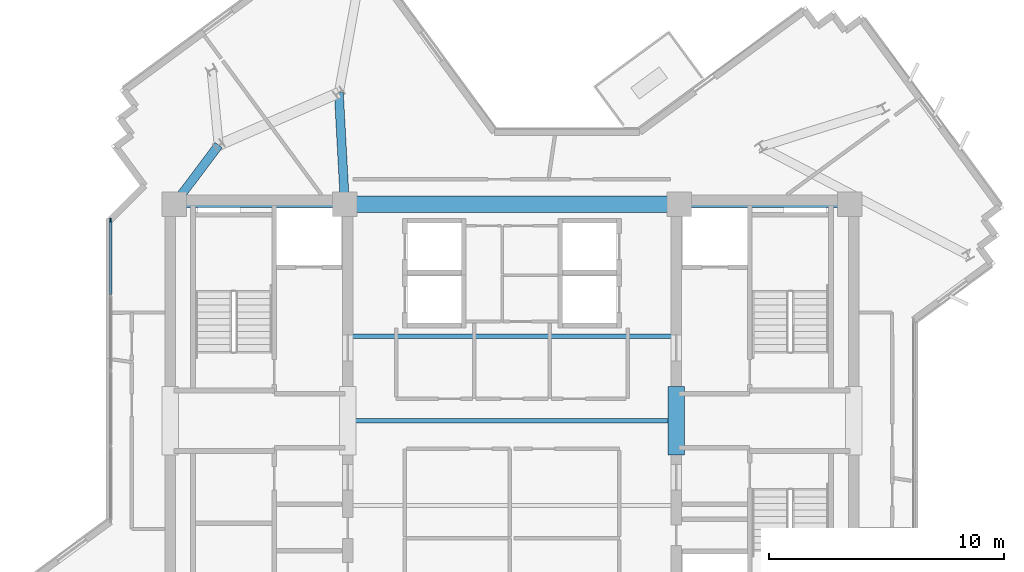
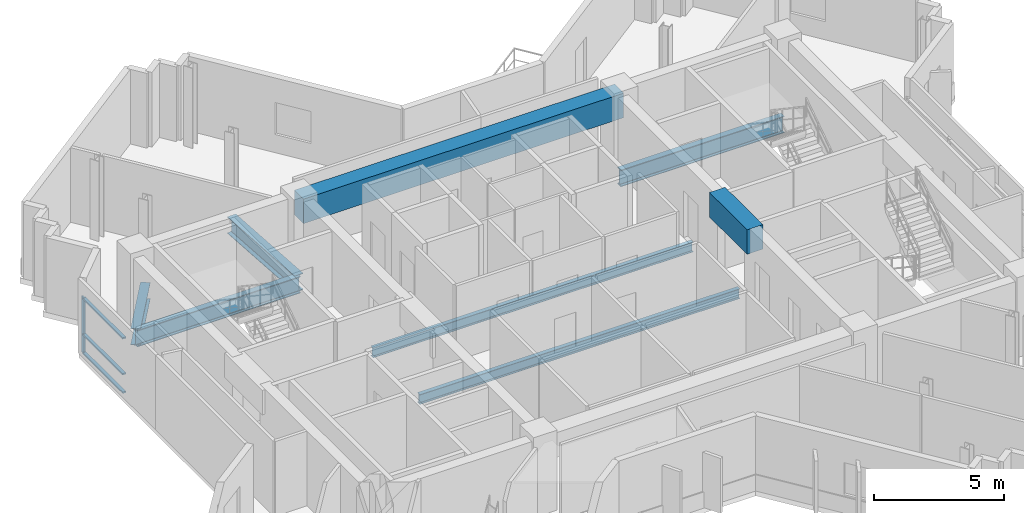
# One storey, part 3 of 13: 8 beams, 4 members, 1 element without a shape of its own.
"""IFC4 building model written with IfcOpenShell, lengths in metres."""

from ifc_helpers import new_model, si_unit, direction, frame, origin, origin_2d, place, context, subcontext, project, spatial, rectangle, i_section, extrude, source, transform, mapped, material, layer, layer_set, material_profile, profile_set, type_object, element, aggregate, save


model = new_model("IFC4")

# Units and contexts
model_context = context("Model", 3, precision=1e-05, world=origin(), true_north=direction((0.0, 1.0)))
body_context = subcontext(model_context, "Body", "Model", "MODEL_VIEW")
ifc_project = project(units=[si_unit("LENGTHUNIT", "METRE"), si_unit("AREAUNIT", "SQUARE_METRE"), si_unit("VOLUMEUNIT", "CUBIC_METRE"), si_unit("PLANEANGLEUNIT", "RADIAN"), si_unit("MASSUNIT", "GRAM", prefix="KILO")], contexts=[model_context])

# Site, building, storey
site_placement = place(None, origin())
site = spatial("IfcSite", under=ifc_project, at=site_placement, CompositionType="ELEMENT")
building_placement = place(site_placement, origin())
building = spatial("IfcBuilding", under=site, at=building_placement, Name="Zahravan Cultural Tower", CompositionType="ELEMENT")
storey_placement = place(building_placement, frame((0.0, 0.0, 276.60009765625)))
storey = spatial("IfcBuildingStorey", under=building, at=storey_placement, Name="L66", CompositionType="ELEMENT", Elevation=276.60009765625)

# Beams
ifc_material_1 = material(Name="Concrete C50/60", Category="concrete")
ifc_material_profile_1 = material_profile(ifc_material_1, rectangle(XDim=0.699951171875, YDim=1.14990234375, at=origin_2d()), Name="RC700X1150")
ifc_profile_set_1 = profile_set([ifc_material_profile_1], Name="Concrete C50/60")
beam_type_1 = type_object("IfcBeamType", Name="BM-LN-RC700X1150", PredefinedType="LINTEL", material=ifc_profile_set_1)
shared_shape_1 = source(origin(), body_context, "Body", "SweptSolid", [
    extrude(rectangle(XDim=0.699951171875, YDim=1.14990234375, at=origin_2d()), origin(), (0.0, 0.0, 1.0), 14.2001953125),
])
beam_1_placement = place(storey_placement, frame((28.89990234375, 36.199951171875, 2.9248046875), z_axis=(1.0, 0.0, 0.0), x_axis=(0.0, 1.0, 0.0)))
element("IfcBeam", 1, at=beam_1_placement, inside=storey, type_object=beam_type_1, Name="L66 Beam LN-L66-N", PredefinedType="LINTEL", context=body_context, shape_type="MappedRepresentation", body=[
    mapped(shared_shape_1, transform((0.0, 0.0, 0.0), x_axis=(1.0, 0.0, 0.0), y_axis=(0.0, 1.0, 0.0), z_axis=(0.0, 0.0, 1.0), scale=1.0)),
])
shared_shape_2 = source(origin(), body_context, "Body", "SweptSolid", [
    extrude(rectangle(XDim=0.699951171875, YDim=1.14990234375, at=origin_2d()), origin(), (0.0, 0.0, 1.0), 2.89990234375),
])
beam_2_placement = place(storey_placement, frame((42.97509765625, 25.550048828125, 2.9248046875), z_axis=(0.0, 1.0, 0.0), x_axis=(-1.0, 0.0, 0.0)))
element("IfcBeam", 2, at=beam_2_placement, inside=storey, type_object=beam_type_1, Name="L66 Beam LN-L66-PEW", PredefinedType="LINTEL", context=body_context, shape_type="MappedRepresentation", body=[
    mapped(shared_shape_2, transform((0.0, 0.0, 0.0), x_axis=(1.0, 0.0, 0.0), y_axis=(0.0, 1.0, 0.0), z_axis=(0.0, 0.0, 1.0), scale=1.0)),
])
ifc_material_2 = material(Name="Steel ASTM A992 Grade 50", Category="steel")
ifc_material_profile_2 = material_profile(ifc_material_2, i_section(OverallWidth=0.26611328125, OverallDepth=0.780029296875, WebThickness=0.0166015625, FlangeThickness=0.030029296875, FilletRadius=0.01904296875, at=origin_2d()), Name="W30X148")
ifc_profile_set_2 = profile_set([ifc_material_profile_2], Name="Steel ASTM A992 Grade 50")
beam_type_2 = type_object("IfcBeamType", Name="BM-G-W30X148", PredefinedType="BEAM", material=ifc_profile_set_2)
shared_shape_3 = source(origin(), body_context, "Body", "SweptSolid", [
    extrude(i_section(OverallWidth=0.26611328125, OverallDepth=0.780029296875, WebThickness=0.0166015625, FlangeThickness=0.030029296875, FilletRadius=0.01904296875, at=origin_2d()), origin(), (0.0, 0.0, 1.0), 7.25),
])
for number, where, z_axis, x_axis, name in (
    (3, (21.64990234375, 36.199951171875, -0.64013671875), (1.0, 0.0, 0.0), (0.0, 1.0, 0.0), "L66 Beam BG-L66-02"),
    (4, (43.10009765625, 36.199951171875, -0.64013671875), (1.0, 0.0, 0.0), (0.0, 1.0, 0.0), "L66 Beam BG-L66-05"),
):
    element("IfcBeam", number, at=place(storey_placement, frame(where, z_axis=z_axis, x_axis=x_axis)), inside=storey, type_object=beam_type_2, Name=name, PredefinedType="BEAM", context=body_context, shape_type="MappedRepresentation", body=[
        mapped(shared_shape_3, transform((0.0, 0.0, 0.0), x_axis=(1.0, 0.0, 0.0), y_axis=(0.0, 1.0, 0.0), z_axis=(0.0, 0.0, 1.0), scale=1.0)),
    ])
ifc_material_profile_3 = material_profile(ifc_material_2, i_section(OverallWidth=0.18994140625, OverallDepth=0.45703125, WebThickness=0.009033203125, FlangeThickness=0.014404296875, FilletRadius=0.012939453125, at=origin_2d()), Name="W18X50")
ifc_profile_set_3 = profile_set([ifc_material_profile_3], Name="Steel ASTM A992 Grade 50")
beam_type_3 = type_object("IfcBeamType", Name="BM-J-W18X50", PredefinedType="JOIST", material=ifc_profile_set_3)
shared_shape_4 = source(origin(), body_context, "Body", "SweptSolid", [
    extrude(i_section(OverallWidth=0.18994140625, OverallDepth=0.45703125, WebThickness=0.009033203125, FlangeThickness=0.014404296875, FilletRadius=0.012939453125, at=origin_2d()), origin(), (0.0, 0.0, 1.0), 14.2001953125),
])
for number, where, z_axis, x_axis, name in (
    (5, (28.89990234375, 27.0, -0.478515625), (1.0, 0.0, 0.0), (0.0, 1.0, 0.0), "L66 Beam BJ-L66-24"),
    (6, (28.89990234375, 30.60009765625, -0.478515625), (1.0, 0.0, 0.0), (0.0, 1.0, 0.0), "L66 Beam BJ-L66-25"),
):
    element("IfcBeam", number, at=place(storey_placement, frame(where, z_axis=z_axis, x_axis=x_axis)), inside=storey, type_object=beam_type_3, Name=name, PredefinedType="JOIST", context=body_context, shape_type="MappedRepresentation", body=[
        mapped(shared_shape_4, transform((0.0, 0.0, 0.0), x_axis=(1.0, 0.0, 0.0), y_axis=(0.0, 1.0, 0.0), z_axis=(0.0, 0.0, 1.0), scale=1.0)),
    ])
ifc_material_profile_4 = material_profile(ifc_material_2, i_section(OverallWidth=0.382080078125, OverallDepth=0.779052734375, WebThickness=0.01806640625, FlangeThickness=0.030029296875, FilletRadius=0.01904296875, at=origin_2d()), Name="W30X191")
ifc_profile_set_4 = profile_set([ifc_material_profile_4], Name="Steel ASTM A992 Grade 50")
beam_type_4 = type_object("IfcBeamType", Name="BM-G-W30X191", PredefinedType="BEAM", material=ifc_profile_set_4)
shared_shape_5 = source(origin(), body_context, "Body", "SweptSolid", [
    extrude(i_section(OverallWidth=0.382080078125, OverallDepth=0.779052734375, WebThickness=0.01806640625, FlangeThickness=0.030029296875, FilletRadius=0.01904296875, at=origin_2d()), origin(), (0.0, 0.0, 1.0), 4.744384765625),
])
beam_3_placement = place(storey_placement, frame((28.89990234375, 36.199951171875, -0.6396484375), z_axis=(-0.054238739845, 0.998527996152, 0.0), x_axis=(-0.998527996152, -0.054238739845, 0.0)))
element("IfcBeam", 7, at=beam_3_placement, inside=storey, type_object=beam_type_4, Name="L66 Beam BG-L66-10", PredefinedType="BEAM", context=body_context, shape_type="MappedRepresentation", body=[
    mapped(shared_shape_5, transform((0.0, 0.0, 0.0), x_axis=(1.0, 0.0, 0.0), y_axis=(0.0, 1.0, 0.0), z_axis=(0.0, 0.0, 1.0), scale=1.0)),
])
shared_shape_6 = source(origin(), body_context, "Body", "SweptSolid", [
    extrude(i_section(OverallWidth=0.382080078125, OverallDepth=0.779052734375, WebThickness=0.01806640625, FlangeThickness=0.030029296875, FilletRadius=0.01904296875, at=origin_2d()), origin(), (0.0, 0.0, 1.0), 3.140380859375),
])
beam_4_placement = place(storey_placement, frame((21.64990234375, 36.199951171875, -0.6396484375), z_axis=(0.600696322208, 0.799477284534, 0.0), x_axis=(-0.799477284534, 0.600696322208, 0.0)))
element("IfcBeam", 8, at=beam_4_placement, inside=storey, type_object=beam_type_4, Name="L66 Beam BG-L66-11", PredefinedType="BEAM", context=body_context, shape_type="MappedRepresentation", body=[
    mapped(shared_shape_6, transform((0.0, 0.0, 0.0), x_axis=(1.0, 0.0, 0.0), y_axis=(0.0, 1.0, 0.0), z_axis=(0.0, 0.0, 1.0), scale=1.0)),
])

# Curtain wall, members
ifc_material_3 = material(Name="Anodised bronze-aluminium mullion", Category="aluminium")
ifc_layer = layer(ifc_material_3, 0.179931640625)
ifc_layer_set = layer_set([ifc_layer], Name="Anodised bronze-aluminium mullion")
curtain_wall_type = type_object("IfcCurtainWallType", Name="CW-SYS-3", PredefinedType="USERDEFINED", material=ifc_layer_set)
curtain_wall_placement = place(storey_placement, origin())
curtain_wall = element("IfcCurtainWall", 9, at=curtain_wall_placement, inside=storey, type_object=curtain_wall_type, Name="L66 Recessed Curtain Wall CW-3.2", ObjectType="RECESSED GLAZING", PredefinedType="USERDEFINED")
ifc_material_profile_5 = material_profile(ifc_material_3, rectangle(XDim=0.070068359375, YDim=0.179931640625, at=origin_2d()), Name="AL-M70X180")
ifc_profile_set_5 = profile_set([ifc_material_profile_5], Name="Anodised bronze-aluminium mullion")
member_type_1 = type_object("IfcMemberType", Name="CWM-CW-3", PredefinedType="MULLION", material=ifc_profile_set_5)
shared_shape_7 = source(origin(), body_context, "Body", "SweptSolid", [
    extrude(rectangle(XDim=0.070068359375, YDim=0.179931640625, at=origin_2d()), origin(), (0.0, 0.0, 1.0), 2.619873046875),
])
member_1_placement = place(storey_placement, frame((18.93994140625, 35.507080078125, 0.0), z_axis=(0.0, 0.0, 1.0), x_axis=(-1.0, 0.0, 0.0)))
member_1 = element("IfcMember", 10, at=member_1_placement, type_object=member_type_1, Name="CW-3 mullion 5", PredefinedType="MULLION", context=body_context, shape_type="MappedRepresentation", body=[
    mapped(shared_shape_7, transform((0.0, 0.0, 0.0), x_axis=(1.0, 0.0, 0.0), y_axis=(0.0, 1.0, 0.0), z_axis=(0.0, 0.0, 1.0), scale=1.0)),
])
ifc_material_profile_6 = material_profile(ifc_material_3, rectangle(XDim=0.139892578125, YDim=0.070068359375, at=origin_2d()), Name="AL-T70X140")
ifc_profile_set_6 = profile_set([ifc_material_profile_6], Name="Anodised bronze-aluminium mullion")
member_type_2 = type_object("IfcMemberType", Name="CWT-CW-3", PredefinedType="USERDEFINED", material=ifc_profile_set_6)
shared_shape_8 = source(origin(), body_context, "Body", "SweptSolid", [
    extrude(rectangle(XDim=0.139892578125, YDim=0.070068359375, at=origin_2d()), origin(), (0.0, 0.0, 1.0), 3.101806640625),
])
member_2_placement = place(storey_placement, frame((18.93994140625, 32.3701171875, 0.034912109375), z_axis=(0.0, 1.0, 0.0), x_axis=(-1.0, 0.0, 0.0)))
member_2 = element("IfcMember", 11, at=member_2_placement, type_object=member_type_2, Name="CW-3 transom 4.1", ObjectType="TRANSOM", PredefinedType="USERDEFINED", context=body_context, shape_type="MappedRepresentation", body=[
    mapped(shared_shape_8, transform((0.0, 0.0, 0.0), x_axis=(1.0, 0.0, 0.0), y_axis=(0.0, 1.0, 0.0), z_axis=(0.0, 0.0, 1.0), scale=1.0)),
])
member_3_placement = place(storey_placement, frame((18.93994140625, 32.3701171875, 0.89990234375), z_axis=(0.0, 1.0, 0.0), x_axis=(-1.0, 0.0, 0.0)))
member_3 = element("IfcMember", 12, at=member_3_placement, type_object=member_type_2, Name="CW-3 transom 4.2", ObjectType="TRANSOM", PredefinedType="USERDEFINED", context=body_context, shape_type="MappedRepresentation", body=[
    mapped(shared_shape_8, transform((0.0, 0.0, 0.0), x_axis=(1.0, 0.0, 0.0), y_axis=(0.0, 1.0, 0.0), z_axis=(0.0, 0.0, 1.0), scale=1.0)),
])
member_4_placement = place(storey_placement, frame((18.93994140625, 32.3701171875, 2.5849609375), z_axis=(0.0, 1.0, 0.0), x_axis=(-1.0, 0.0, 0.0)))
member_4 = element("IfcMember", 13, at=member_4_placement, type_object=member_type_2, Name="CW-3 transom 4.3", ObjectType="TRANSOM", PredefinedType="USERDEFINED", context=body_context, shape_type="MappedRepresentation", body=[
    mapped(shared_shape_8, transform((0.0, 0.0, 0.0), x_axis=(1.0, 0.0, 0.0), y_axis=(0.0, 1.0, 0.0), z_axis=(0.0, 0.0, 1.0), scale=1.0)),
])
aggregate(curtain_wall, [member_1, member_2, member_3, member_4])

save(model, "model.ifc")
